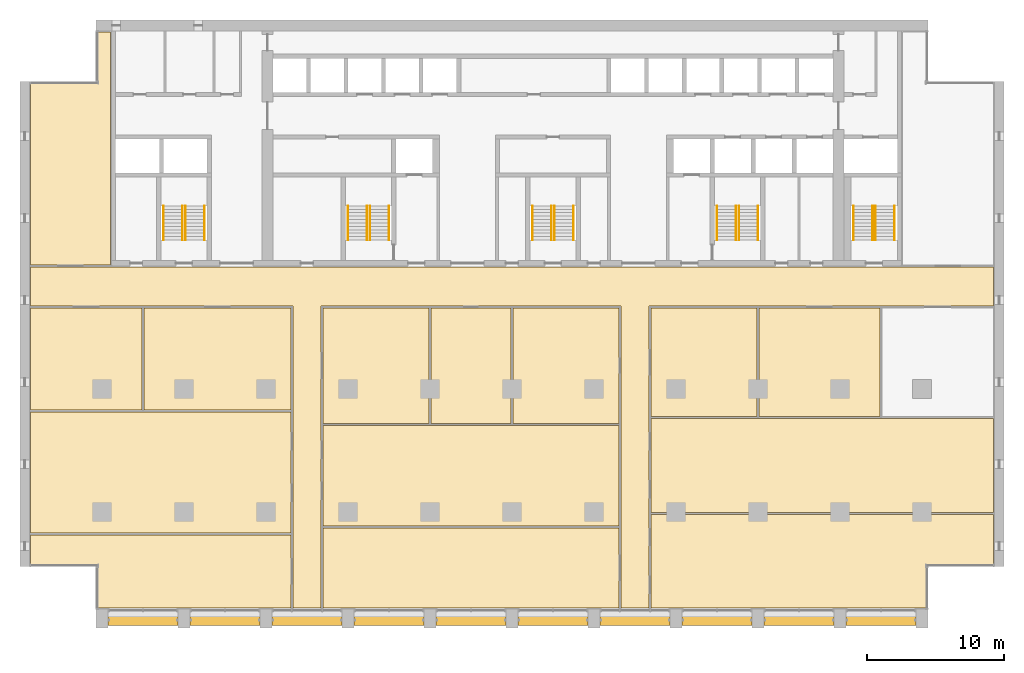
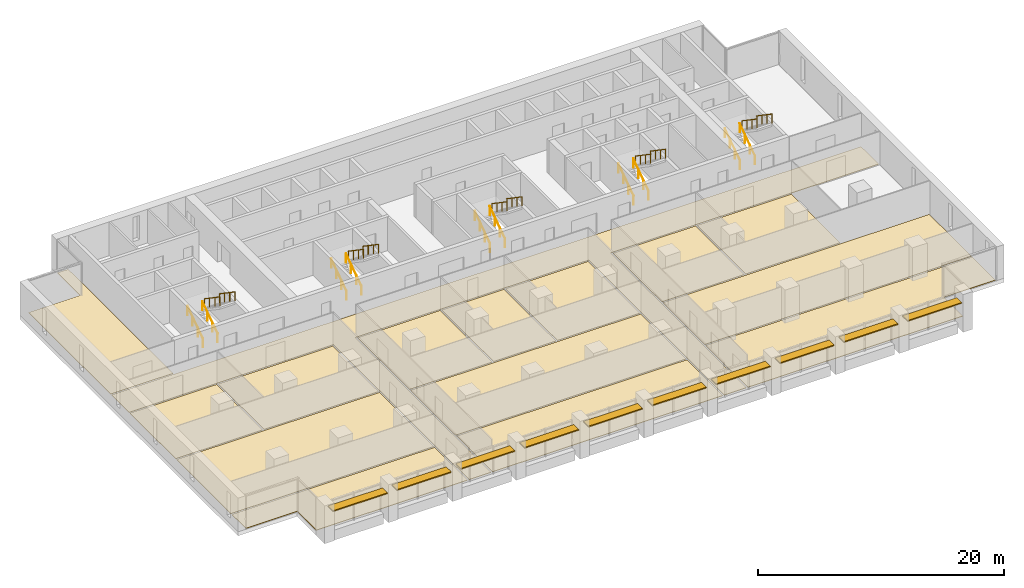
# One storey, part 16 of 17: 20 railings, 15 coverings, 10 shading devices, 5 elements without a shape of their own.
"""IFC4 building model written with IfcOpenShell, lengths in metres."""

from ifc_helpers import new_model, si_unit, direction, frame, origin, origin_2d, place, context, subcontext, project, spatial, polyline, rectangle, circle, outline, extrude, material, layer, layer_set, material_profile, profile_set, type_object, element, aggregate, save


model = new_model("IFC4")

# Units and contexts
model_context = context("Model", 3, precision=1e-05, world=origin(), true_north=direction((0.0, 1.0)))
body_context = subcontext(model_context, "Body", "Model", "MODEL_VIEW")
ifc_project = project(units=[si_unit("LENGTHUNIT", "METRE"), si_unit("AREAUNIT", "SQUARE_METRE"), si_unit("VOLUMEUNIT", "CUBIC_METRE"), si_unit("PLANEANGLEUNIT", "RADIAN"), si_unit("MASSUNIT", "GRAM", prefix="KILO")], contexts=[model_context])

# Site, building, storey
site_placement = place(None, origin())
site = spatial("IfcSite", under=ifc_project, at=site_placement, CompositionType="ELEMENT")
building_placement = place(site_placement, origin())
building = spatial("IfcBuilding", under=site, at=building_placement, Name="Calvaro Tower", CompositionType="ELEMENT")
storey_placement = place(building_placement, frame((0.0, 0.0, 102.5)))
storey = spatial("IfcBuildingStorey", under=building, at=storey_placement, Name="L25", CompositionType="ELEMENT", Elevation=102.5)

# Shading devices
ifc_material_1 = material(Name="Anodised aluminium", Category="aluminium")
ifc_material_profile = material_profile(ifc_material_1, rectangle(XDim=0.800048828125, YDim=0.10009765625, at=origin_2d()), Name="Brise-soleil blade 800 x 100")
ifc_profile_set = profile_set([ifc_material_profile], Name="Anodised aluminium")
shading_device_type = type_object("IfcShadingDeviceType", Name="Brise-soleil blade 800 x 100", PredefinedType="JALOUSIE", material=ifc_profile_set)
for number, where, z_axis, x_axis, name in (
    (1, (6.449951171875, 2.10009765625, 2.39990234375), (1.0, 0.0, 0.0), (0.0, 1.0, 0.0), "Brise-soleil blade 1"),
    (2, (12.449951171875, 2.10009765625, 2.39990234375), (1.0, 0.0, 0.0), (0.0, 1.0, 0.0), "Brise-soleil blade 2"),
    (3, (18.449951171875, 2.10009765625, 2.39990234375), (1.0, 0.0, 0.0), (0.0, 1.0, 0.0), "Brise-soleil blade 3"),
    (4, (24.449951171875, 2.10009765625, 2.39990234375), (1.0, 0.0, 0.0), (0.0, 1.0, 0.0), "Brise-soleil blade 4"),
    (5, (30.449951171875, 2.10009765625, 2.39990234375), (1.0, 0.0, 0.0), (0.0, 1.0, 0.0), "Brise-soleil blade 5"),
    (6, (36.449951171875, 2.10009765625, 2.39990234375), (1.0, 0.0, 0.0), (0.0, 1.0, 0.0), "Brise-soleil blade 6"),
    (7, (42.449951171875, 2.10009765625, 2.39990234375), (1.0, 0.0, 0.0), (0.0, 1.0, 0.0), "Brise-soleil blade 7"),
    (8, (48.449951171875, 2.10009765625, 2.39990234375), (1.0, 0.0, 0.0), (0.0, 1.0, 0.0), "Brise-soleil blade 8"),
    (9, (54.449951171875, 2.10009765625, 2.39990234375), (1.0, 0.0, 0.0), (0.0, 1.0, 0.0), "Brise-soleil blade 9"),
    (10, (60.449951171875, 2.10009765625, 2.39990234375), (1.0, 0.0, 0.0), (0.0, 1.0, 0.0), "Brise-soleil blade 10"),
):
    element("IfcShadingDevice", number, at=place(storey_placement, frame(where, z_axis=z_axis, x_axis=x_axis)), inside=storey, type_object=shading_device_type, Name=name, PredefinedType="JALOUSIE", context=body_context, shape_type="SweptSolid", body=[
        extrude(rectangle(XDim=0.800048828125, YDim=0.10009765625, at=origin_2d()), origin(), (0.0, 0.0, 1.0), 5.10009765625),
    ])

# Coverings
ifc_material_2 = material(Name="Cement screed with carpet tile finish")
ifc_layer = layer(ifc_material_2, 0.050048828125)
ifc_layer_set = layer_set([ifc_layer], Name="Cement screed with carpet tile finish")
covering_type = type_object("IfcCoveringType", Name="Floor finish 50", PredefinedType="FLOORING", material=ifc_layer_set)
covering_1_placement = place(storey_placement, origin())
element("IfcCovering", 11, at=covering_1_placement, inside=storey, type_object=covering_type, Name="Floor finish 16.01", PredefinedType="FLOORING", context=body_context, shape_type="SweptSolid", body=[
    extrude(outline(polyline([(19.969970703125, 2.969970703125), (19.969970703125, 25.070068359375), (0.77001953125, 25.070068359375), (0.77001953125, 27.929931640625), (71.22998046875, 27.929931640625), (71.22998046875, 25.070068359375), (46.030029296875, 25.070068359375), (46.030029296875, 2.969970703125), (43.969970703125, 2.969970703125), (43.969970703125, 25.070068359375), (22.030029296875, 25.070068359375), (22.030029296875, 2.969970703125), (19.969970703125, 2.969970703125)])), origin(), (0.0, 0.0, 1.0), 0.050048828125),
])
covering_2_placement = place(storey_placement, origin())
element("IfcCovering", 12, at=covering_2_placement, inside=storey, type_object=covering_type, Name="Floor finish 16.02", PredefinedType="FLOORING", context=body_context, shape_type="SweptSolid", body=[
    extrude(outline(polyline([(19.830078125, 8.330078125), (19.830078125, 2.969970703125), (5.6201171875, 2.969970703125), (5.6201171875, 6.070068359375), (0.77001953125, 6.070068359375), (0.77001953125, 8.330078125), (19.830078125, 8.330078125)])), origin(), (0.0, 0.0, 1.0), 0.050048828125),
])
covering_3_placement = place(storey_placement, origin())
element("IfcCovering", 13, at=covering_3_placement, inside=storey, type_object=covering_type, Name="Floor finish 16.06", PredefinedType="FLOORING", context=body_context, shape_type="SweptSolid", body=[
    extrude(outline(polyline([(19.830078125, 17.330078125), (19.830078125, 8.469970703125), (0.77001953125, 8.469970703125), (0.77001953125, 17.330078125), (19.830078125, 17.330078125)])), origin(), (0.0, 0.0, 1.0), 0.050048828125),
])
covering_4_placement = place(storey_placement, origin())
element("IfcCovering", 14, at=covering_4_placement, inside=storey, type_object=covering_type, Name="Floor finish 16.14", PredefinedType="FLOORING", context=body_context, shape_type="SweptSolid", body=[
    extrude(outline(polyline([(8.929931640625, 24.929931640625), (8.929931640625, 17.469970703125), (0.77001953125, 17.469970703125), (0.77001953125, 24.929931640625), (8.929931640625, 24.929931640625)])), origin(), (0.0, 0.0, 1.0), 0.050048828125),
])
covering_5_placement = place(storey_placement, origin())
element("IfcCovering", 15, at=covering_5_placement, inside=storey, type_object=covering_type, Name="Floor finish 16.15", PredefinedType="FLOORING", context=body_context, shape_type="SweptSolid", body=[
    extrude(outline(polyline([(9.070068359375, 17.469970703125), (9.070068359375, 24.929931640625), (19.830078125, 24.929931640625), (19.830078125, 17.469970703125), (9.070068359375, 17.469970703125)])), origin(), (0.0, 0.0, 1.0), 0.050048828125),
])
covering_6_placement = place(storey_placement, origin())
element("IfcCovering", 16, at=covering_6_placement, inside=storey, type_object=covering_type, Name="Floor finish 16.03", PredefinedType="FLOORING", context=body_context, shape_type="SweptSolid", body=[
    extrude(outline(polyline([(22.169921875, 8.830078125), (43.830078125, 8.830078125), (43.830078125, 2.969970703125), (22.169921875, 2.969970703125), (22.169921875, 8.830078125)])), origin(), (0.0, 0.0, 1.0), 0.050048828125),
])
covering_7_placement = place(storey_placement, origin())
element("IfcCovering", 17, at=covering_7_placement, inside=storey, type_object=covering_type, Name="Floor finish 16.05", PredefinedType="FLOORING", context=body_context, shape_type="SweptSolid", body=[
    extrude(outline(polyline([(22.169921875, 8.969970703125), (22.169921875, 16.330078125), (43.830078125, 16.330078125), (43.830078125, 8.969970703125), (22.169921875, 8.969970703125)])), origin(), (0.0, 0.0, 1.0), 0.050048828125),
])
covering_8_placement = place(storey_placement, origin())
element("IfcCovering", 18, at=covering_8_placement, inside=storey, type_object=covering_type, Name="Floor finish 16.08", PredefinedType="FLOORING", context=body_context, shape_type="SweptSolid", body=[
    extrude(outline(polyline([(22.169921875, 16.469970703125), (22.169921875, 24.929931640625), (29.929931640625, 24.929931640625), (29.929931640625, 16.469970703125), (22.169921875, 16.469970703125)])), origin(), (0.0, 0.0, 1.0), 0.050048828125),
])
covering_9_placement = place(storey_placement, origin())
element("IfcCovering", 19, at=covering_9_placement, inside=storey, type_object=covering_type, Name="Floor finish 16.09", PredefinedType="FLOORING", context=body_context, shape_type="SweptSolid", body=[
    extrude(outline(polyline([(30.070068359375, 16.469970703125), (30.070068359375, 24.929931640625), (35.929931640625, 24.929931640625), (35.929931640625, 16.469970703125), (30.070068359375, 16.469970703125)])), origin(), (0.0, 0.0, 1.0), 0.050048828125),
])
covering_10_placement = place(storey_placement, origin())
element("IfcCovering", 20, at=covering_10_placement, inside=storey, type_object=covering_type, Name="Floor finish 16.10", PredefinedType="FLOORING", context=body_context, shape_type="SweptSolid", body=[
    extrude(outline(polyline([(36.070068359375, 16.469970703125), (36.070068359375, 24.929931640625), (43.830078125, 24.929931640625), (43.830078125, 16.469970703125), (36.070068359375, 16.469970703125)])), origin(), (0.0, 0.0, 1.0), 0.050048828125),
])
covering_11_placement = place(storey_placement, origin())
element("IfcCovering", 21, at=covering_11_placement, inside=storey, type_object=covering_type, Name="Floor finish 16.04", PredefinedType="FLOORING", context=body_context, shape_type="SweptSolid", body=[
    extrude(outline(polyline([(71.22998046875, 6.070068359375), (66.3798828125, 6.070068359375), (66.3798828125, 2.969970703125), (46.169921875, 2.969970703125), (46.169921875, 9.830078125), (71.22998046875, 9.830078125), (71.22998046875, 6.070068359375)])), origin(), (0.0, 0.0, 1.0), 0.050048828125),
])
covering_12_placement = place(storey_placement, origin())
element("IfcCovering", 22, at=covering_12_placement, inside=storey, type_object=covering_type, Name="Floor finish 16.07", PredefinedType="FLOORING", context=body_context, shape_type="SweptSolid", body=[
    extrude(outline(polyline([(71.22998046875, 9.969970703125), (46.169921875, 9.969970703125), (46.169921875, 16.830078125), (71.22998046875, 16.830078125), (71.22998046875, 9.969970703125)])), origin(), (0.0, 0.0, 1.0), 0.050048828125),
])
covering_13_placement = place(storey_placement, origin())
element("IfcCovering", 23, at=covering_13_placement, inside=storey, type_object=covering_type, Name="Floor finish 16.11", PredefinedType="FLOORING", context=body_context, shape_type="SweptSolid", body=[
    extrude(outline(polyline([(46.169921875, 16.969970703125), (46.169921875, 24.929931640625), (53.929931640625, 24.929931640625), (53.929931640625, 16.969970703125), (46.169921875, 16.969970703125)])), origin(), (0.0, 0.0, 1.0), 0.050048828125),
])
covering_14_placement = place(storey_placement, origin())
element("IfcCovering", 24, at=covering_14_placement, inside=storey, type_object=covering_type, Name="Floor finish 16.12", PredefinedType="FLOORING", context=body_context, shape_type="SweptSolid", body=[
    extrude(outline(polyline([(54.070068359375, 16.969970703125), (54.070068359375, 24.929931640625), (62.929931640625, 24.929931640625), (62.929931640625, 16.969970703125), (54.070068359375, 16.969970703125)])), origin(), (0.0, 0.0, 1.0), 0.050048828125),
])
covering_15_placement = place(storey_placement, origin())
element("IfcCovering", 25, at=covering_15_placement, inside=storey, type_object=covering_type, Name="Floor finish 16.16", PredefinedType="FLOORING", context=body_context, shape_type="SweptSolid", body=[
    extrude(outline(polyline([(6.6298828125, 28.070068359375), (0.77001953125, 28.070068359375), (0.77001953125, 41.429931640625), (5.6201171875, 41.429931640625), (5.6201171875, 45.1298828125), (6.6298828125, 45.1298828125), (6.6298828125, 28.070068359375)])), origin(), (0.0, 0.0, 1.0), 0.050048828125),
])

# Stair, railings
ifc_material_3 = material(Name="Concrete C40/50", Category="concrete")
stair_type = type_object("IfcStairType", Name="Exit stair 1400 2 flights", PredefinedType="HALF_TURN_STAIR", material=ifc_material_3)
stair_1_placement = place(storey_placement, origin())
stair_1 = element("IfcStair", 26, at=stair_1_placement, inside=storey, type_object=stair_type, Name="Exit stair S1", PredefinedType="HALF_TURN_STAIR")
ifc_material_4 = material(Name="Stainless steel", Category="steel")
railing_type = type_object("IfcRailingType", Name="Stair handrail", PredefinedType="HANDRAIL", material=ifc_material_4)
railing_1_placement = place(storey_placement, frame((11.89990234375, 29.89990234375, 0.17041015625)))
railing_1 = element("IfcRailing", 27, at=railing_1_placement, type_object=railing_type, Name="Exit stair 1 handrail", PredefinedType="HANDRAIL", context=body_context, shape_type="SweptSolid", body=[
    extrude(circle(Radius=0.02392578125, at=origin_2d()), frame((0.0, 0.0, 0.8759765625), z_axis=(0.0, 0.826220514629, 0.563346839174), x_axis=(-1.0, 0.0, 0.0)), (0.0, 0.0, 1.0), 3.02587890625),
    extrude(circle(Radius=0.02099609375, at=origin_2d()), frame((0.0, 0.017333984375, 0.01171875)), (0.0, 0.0, 1.0), 0.851806640625),
    extrude(circle(Radius=0.02099609375, at=origin_2d()), frame((0.0, 0.833251953125, 0.568115234375)), (0.0, 0.0, 1.0), 0.851806640625),
    extrude(circle(Radius=0.02099609375, at=origin_2d()), frame((0.0, 1.666748046875, 1.136474609375)), (0.0, 0.0, 1.0), 0.851806640625),
    extrude(circle(Radius=0.02099609375, at=origin_2d()), frame((0.0, 2.482666015625, 1.69287109375)), (0.0, 0.0, 1.0), 0.851806640625),
])
railing_2_placement = place(storey_placement, frame((10.5, 29.89990234375, 0.17041015625)))
railing_2 = element("IfcRailing", 28, at=railing_2_placement, type_object=railing_type, Name="Exit stair 1 handrail", PredefinedType="HANDRAIL", context=body_context, shape_type="SweptSolid", body=[
    extrude(circle(Radius=0.02392578125, at=origin_2d()), frame((0.0, 0.0, 0.8759765625), z_axis=(0.0, 0.826220514629, 0.563346839174), x_axis=(-1.0, 0.0, 0.0)), (0.0, 0.0, 1.0), 3.02587890625),
    extrude(circle(Radius=0.02099609375, at=origin_2d()), frame((0.0, 0.017333984375, 0.01171875)), (0.0, 0.0, 1.0), 0.851806640625),
    extrude(circle(Radius=0.02099609375, at=origin_2d()), frame((0.0, 0.833251953125, 0.568115234375)), (0.0, 0.0, 1.0), 0.851806640625),
    extrude(circle(Radius=0.02099609375, at=origin_2d()), frame((0.0, 1.666748046875, 1.136474609375)), (0.0, 0.0, 1.0), 0.851806640625),
    extrude(circle(Radius=0.02099609375, at=origin_2d()), frame((0.0, 2.482666015625, 1.69287109375)), (0.0, 0.0, 1.0), 0.851806640625),
])
railing_3_placement = place(storey_placement, frame((12.10009765625, 32.39990234375, 2.04541015625)))
railing_3 = element("IfcRailing", 29, at=railing_3_placement, type_object=railing_type, Name="Exit stair 1 handrail", PredefinedType="HANDRAIL", context=body_context, shape_type="SweptSolid", body=[
    extrude(circle(Radius=0.02392578125, at=origin_2d()), frame((0.0, 0.0, 0.8759765625), z_axis=(0.0, -0.826220514629, 0.563346839174), x_axis=(1.0, 0.0, 0.0)), (0.0, 0.0, 1.0), 3.02587890625),
    extrude(circle(Radius=0.02099609375, at=origin_2d()), frame((0.0, -0.017333984375, 0.01171875)), (0.0, 0.0, 1.0), 0.851806640625),
    extrude(circle(Radius=0.02099609375, at=origin_2d()), frame((0.0, -0.833251953125, 0.568115234375)), (0.0, 0.0, 1.0), 0.851806640625),
    extrude(circle(Radius=0.02099609375, at=origin_2d()), frame((0.0, -1.666748046875, 1.136474609375)), (0.0, 0.0, 1.0), 0.851806640625),
    extrude(circle(Radius=0.02099609375, at=origin_2d()), frame((0.0, -2.482666015625, 1.69287109375)), (0.0, 0.0, 1.0), 0.851806640625),
])
railing_4_placement = place(storey_placement, frame((13.5, 32.39990234375, 2.04541015625)))
railing_4 = element("IfcRailing", 30, at=railing_4_placement, type_object=railing_type, Name="Exit stair 1 handrail", PredefinedType="HANDRAIL", context=body_context, shape_type="SweptSolid", body=[
    extrude(circle(Radius=0.02392578125, at=origin_2d()), frame((0.0, 0.0, 0.8759765625), z_axis=(0.0, -0.826220514629, 0.563346839174), x_axis=(1.0, 0.0, 0.0)), (0.0, 0.0, 1.0), 3.02587890625),
    extrude(circle(Radius=0.02099609375, at=origin_2d()), frame((0.0, -0.017333984375, 0.01171875)), (0.0, 0.0, 1.0), 0.851806640625),
    extrude(circle(Radius=0.02099609375, at=origin_2d()), frame((0.0, -0.833251953125, 0.568115234375)), (0.0, 0.0, 1.0), 0.851806640625),
    extrude(circle(Radius=0.02099609375, at=origin_2d()), frame((0.0, -1.666748046875, 1.136474609375)), (0.0, 0.0, 1.0), 0.851806640625),
    extrude(circle(Radius=0.02099609375, at=origin_2d()), frame((0.0, -2.482666015625, 1.69287109375)), (0.0, 0.0, 1.0), 0.851806640625),
])
aggregate(stair_1, [railing_1, railing_2, railing_3, railing_4])

stair_2_placement = place(storey_placement, origin())
stair_2 = element("IfcStair", 31, at=stair_2_placement, inside=storey, type_object=stair_type, Name="Exit stair S2", PredefinedType="HALF_TURN_STAIR")
railing_5_placement = place(storey_placement, frame((25.39990234375, 29.89990234375, 0.17041015625)))
railing_5 = element("IfcRailing", 32, at=railing_5_placement, type_object=railing_type, Name="Exit stair 2 handrail", PredefinedType="HANDRAIL", context=body_context, shape_type="SweptSolid", body=[
    extrude(circle(Radius=0.02392578125, at=origin_2d()), frame((0.0, 0.0, 0.8759765625), z_axis=(0.0, 0.826220514629, 0.563346839174), x_axis=(-1.0, 0.0, 0.0)), (0.0, 0.0, 1.0), 3.02587890625),
    extrude(circle(Radius=0.02099609375, at=origin_2d()), frame((0.0, 0.017333984375, 0.01171875)), (0.0, 0.0, 1.0), 0.851806640625),
    extrude(circle(Radius=0.02099609375, at=origin_2d()), frame((0.0, 0.833251953125, 0.568115234375)), (0.0, 0.0, 1.0), 0.851806640625),
    extrude(circle(Radius=0.02099609375, at=origin_2d()), frame((0.0, 1.666748046875, 1.136474609375)), (0.0, 0.0, 1.0), 0.851806640625),
    extrude(circle(Radius=0.02099609375, at=origin_2d()), frame((0.0, 2.482666015625, 1.69287109375)), (0.0, 0.0, 1.0), 0.851806640625),
])
railing_6_placement = place(storey_placement, frame((24.0, 29.89990234375, 0.17041015625)))
railing_6 = element("IfcRailing", 33, at=railing_6_placement, type_object=railing_type, Name="Exit stair 2 handrail", PredefinedType="HANDRAIL", context=body_context, shape_type="SweptSolid", body=[
    extrude(circle(Radius=0.02392578125, at=origin_2d()), frame((0.0, 0.0, 0.8759765625), z_axis=(0.0, 0.826220514629, 0.563346839174), x_axis=(-1.0, 0.0, 0.0)), (0.0, 0.0, 1.0), 3.02587890625),
    extrude(circle(Radius=0.02099609375, at=origin_2d()), frame((0.0, 0.017333984375, 0.01171875)), (0.0, 0.0, 1.0), 0.851806640625),
    extrude(circle(Radius=0.02099609375, at=origin_2d()), frame((0.0, 0.833251953125, 0.568115234375)), (0.0, 0.0, 1.0), 0.851806640625),
    extrude(circle(Radius=0.02099609375, at=origin_2d()), frame((0.0, 1.666748046875, 1.136474609375)), (0.0, 0.0, 1.0), 0.851806640625),
    extrude(circle(Radius=0.02099609375, at=origin_2d()), frame((0.0, 2.482666015625, 1.69287109375)), (0.0, 0.0, 1.0), 0.851806640625),
])
railing_7_placement = place(storey_placement, frame((25.60009765625, 32.39990234375, 2.04541015625)))
railing_7 = element("IfcRailing", 34, at=railing_7_placement, type_object=railing_type, Name="Exit stair 2 handrail", PredefinedType="HANDRAIL", context=body_context, shape_type="SweptSolid", body=[
    extrude(circle(Radius=0.02392578125, at=origin_2d()), frame((0.0, 0.0, 0.8759765625), z_axis=(0.0, -0.826220514629, 0.563346839174), x_axis=(1.0, 0.0, 0.0)), (0.0, 0.0, 1.0), 3.02587890625),
    extrude(circle(Radius=0.02099609375, at=origin_2d()), frame((0.0, -0.017333984375, 0.01171875)), (0.0, 0.0, 1.0), 0.851806640625),
    extrude(circle(Radius=0.02099609375, at=origin_2d()), frame((0.0, -0.833251953125, 0.568115234375)), (0.0, 0.0, 1.0), 0.851806640625),
    extrude(circle(Radius=0.02099609375, at=origin_2d()), frame((0.0, -1.666748046875, 1.136474609375)), (0.0, 0.0, 1.0), 0.851806640625),
    extrude(circle(Radius=0.02099609375, at=origin_2d()), frame((0.0, -2.482666015625, 1.69287109375)), (0.0, 0.0, 1.0), 0.851806640625),
])
railing_8_placement = place(storey_placement, frame((27.0, 32.39990234375, 2.04541015625)))
railing_8 = element("IfcRailing", 35, at=railing_8_placement, type_object=railing_type, Name="Exit stair 2 handrail", PredefinedType="HANDRAIL", context=body_context, shape_type="SweptSolid", body=[
    extrude(circle(Radius=0.02392578125, at=origin_2d()), frame((0.0, 0.0, 0.8759765625), z_axis=(0.0, -0.826220514629, 0.563346839174), x_axis=(1.0, 0.0, 0.0)), (0.0, 0.0, 1.0), 3.02587890625),
    extrude(circle(Radius=0.02099609375, at=origin_2d()), frame((0.0, -0.017333984375, 0.01171875)), (0.0, 0.0, 1.0), 0.851806640625),
    extrude(circle(Radius=0.02099609375, at=origin_2d()), frame((0.0, -0.833251953125, 0.568115234375)), (0.0, 0.0, 1.0), 0.851806640625),
    extrude(circle(Radius=0.02099609375, at=origin_2d()), frame((0.0, -1.666748046875, 1.136474609375)), (0.0, 0.0, 1.0), 0.851806640625),
    extrude(circle(Radius=0.02099609375, at=origin_2d()), frame((0.0, -2.482666015625, 1.69287109375)), (0.0, 0.0, 1.0), 0.851806640625),
])
aggregate(stair_2, [railing_5, railing_6, railing_7, railing_8])

stair_3_placement = place(storey_placement, origin())
stair_3 = element("IfcStair", 36, at=stair_3_placement, inside=storey, type_object=stair_type, Name="Exit stair S3", PredefinedType="HALF_TURN_STAIR")
railing_9_placement = place(storey_placement, frame((38.89990234375, 29.89990234375, 0.17041015625)))
railing_9 = element("IfcRailing", 37, at=railing_9_placement, type_object=railing_type, Name="Exit stair 3 handrail", PredefinedType="HANDRAIL", context=body_context, shape_type="SweptSolid", body=[
    extrude(circle(Radius=0.02392578125, at=origin_2d()), frame((0.0, 0.0, 0.8759765625), z_axis=(0.0, 0.826220514629, 0.563346839174), x_axis=(-1.0, 0.0, 0.0)), (0.0, 0.0, 1.0), 3.02587890625),
    extrude(circle(Radius=0.02099609375, at=origin_2d()), frame((0.0, 0.017333984375, 0.01171875)), (0.0, 0.0, 1.0), 0.851806640625),
    extrude(circle(Radius=0.02099609375, at=origin_2d()), frame((0.0, 0.833251953125, 0.568115234375)), (0.0, 0.0, 1.0), 0.851806640625),
    extrude(circle(Radius=0.02099609375, at=origin_2d()), frame((0.0, 1.666748046875, 1.136474609375)), (0.0, 0.0, 1.0), 0.851806640625),
    extrude(circle(Radius=0.02099609375, at=origin_2d()), frame((0.0, 2.482666015625, 1.69287109375)), (0.0, 0.0, 1.0), 0.851806640625),
])
railing_10_placement = place(storey_placement, frame((37.5, 29.89990234375, 0.17041015625)))
railing_10 = element("IfcRailing", 38, at=railing_10_placement, type_object=railing_type, Name="Exit stair 3 handrail", PredefinedType="HANDRAIL", context=body_context, shape_type="SweptSolid", body=[
    extrude(circle(Radius=0.02392578125, at=origin_2d()), frame((0.0, 0.0, 0.8759765625), z_axis=(0.0, 0.826220514629, 0.563346839174), x_axis=(-1.0, 0.0, 0.0)), (0.0, 0.0, 1.0), 3.02587890625),
    extrude(circle(Radius=0.02099609375, at=origin_2d()), frame((0.0, 0.017333984375, 0.01171875)), (0.0, 0.0, 1.0), 0.851806640625),
    extrude(circle(Radius=0.02099609375, at=origin_2d()), frame((0.0, 0.833251953125, 0.568115234375)), (0.0, 0.0, 1.0), 0.851806640625),
    extrude(circle(Radius=0.02099609375, at=origin_2d()), frame((0.0, 1.666748046875, 1.136474609375)), (0.0, 0.0, 1.0), 0.851806640625),
    extrude(circle(Radius=0.02099609375, at=origin_2d()), frame((0.0, 2.482666015625, 1.69287109375)), (0.0, 0.0, 1.0), 0.851806640625),
])
railing_11_placement = place(storey_placement, frame((39.10009765625, 32.39990234375, 2.04541015625)))
railing_11 = element("IfcRailing", 39, at=railing_11_placement, type_object=railing_type, Name="Exit stair 3 handrail", PredefinedType="HANDRAIL", context=body_context, shape_type="SweptSolid", body=[
    extrude(circle(Radius=0.02392578125, at=origin_2d()), frame((0.0, 0.0, 0.8759765625), z_axis=(0.0, -0.826220514629, 0.563346839174), x_axis=(1.0, 0.0, 0.0)), (0.0, 0.0, 1.0), 3.02587890625),
    extrude(circle(Radius=0.02099609375, at=origin_2d()), frame((0.0, -0.017333984375, 0.01171875)), (0.0, 0.0, 1.0), 0.851806640625),
    extrude(circle(Radius=0.02099609375, at=origin_2d()), frame((0.0, -0.833251953125, 0.568115234375)), (0.0, 0.0, 1.0), 0.851806640625),
    extrude(circle(Radius=0.02099609375, at=origin_2d()), frame((0.0, -1.666748046875, 1.136474609375)), (0.0, 0.0, 1.0), 0.851806640625),
    extrude(circle(Radius=0.02099609375, at=origin_2d()), frame((0.0, -2.482666015625, 1.69287109375)), (0.0, 0.0, 1.0), 0.851806640625),
])
railing_12_placement = place(storey_placement, frame((40.5, 32.39990234375, 2.04541015625)))
railing_12 = element("IfcRailing", 40, at=railing_12_placement, type_object=railing_type, Name="Exit stair 3 handrail", PredefinedType="HANDRAIL", context=body_context, shape_type="SweptSolid", body=[
    extrude(circle(Radius=0.02392578125, at=origin_2d()), frame((0.0, 0.0, 0.8759765625), z_axis=(0.0, -0.826220514629, 0.563346839174), x_axis=(1.0, 0.0, 0.0)), (0.0, 0.0, 1.0), 3.02587890625),
    extrude(circle(Radius=0.02099609375, at=origin_2d()), frame((0.0, -0.017333984375, 0.01171875)), (0.0, 0.0, 1.0), 0.851806640625),
    extrude(circle(Radius=0.02099609375, at=origin_2d()), frame((0.0, -0.833251953125, 0.568115234375)), (0.0, 0.0, 1.0), 0.851806640625),
    extrude(circle(Radius=0.02099609375, at=origin_2d()), frame((0.0, -1.666748046875, 1.136474609375)), (0.0, 0.0, 1.0), 0.851806640625),
    extrude(circle(Radius=0.02099609375, at=origin_2d()), frame((0.0, -2.482666015625, 1.69287109375)), (0.0, 0.0, 1.0), 0.851806640625),
])
aggregate(stair_3, [railing_9, railing_10, railing_11, railing_12])

stair_4_placement = place(storey_placement, origin())
stair_4 = element("IfcStair", 41, at=stair_4_placement, inside=storey, type_object=stair_type, Name="Exit stair S4", PredefinedType="HALF_TURN_STAIR")
railing_13_placement = place(storey_placement, frame((52.39990234375, 29.89990234375, 0.17041015625)))
railing_13 = element("IfcRailing", 42, at=railing_13_placement, type_object=railing_type, Name="Exit stair 4 handrail", PredefinedType="HANDRAIL", context=body_context, shape_type="SweptSolid", body=[
    extrude(circle(Radius=0.02392578125, at=origin_2d()), frame((0.0, 0.0, 0.8759765625), z_axis=(0.0, 0.826220514629, 0.563346839174), x_axis=(-1.0, 0.0, 0.0)), (0.0, 0.0, 1.0), 3.02587890625),
    extrude(circle(Radius=0.02099609375, at=origin_2d()), frame((0.0, 0.017333984375, 0.01171875)), (0.0, 0.0, 1.0), 0.851806640625),
    extrude(circle(Radius=0.02099609375, at=origin_2d()), frame((0.0, 0.833251953125, 0.568115234375)), (0.0, 0.0, 1.0), 0.851806640625),
    extrude(circle(Radius=0.02099609375, at=origin_2d()), frame((0.0, 1.666748046875, 1.136474609375)), (0.0, 0.0, 1.0), 0.851806640625),
    extrude(circle(Radius=0.02099609375, at=origin_2d()), frame((0.0, 2.482666015625, 1.69287109375)), (0.0, 0.0, 1.0), 0.851806640625),
])
railing_14_placement = place(storey_placement, frame((51.0, 29.89990234375, 0.17041015625)))
railing_14 = element("IfcRailing", 43, at=railing_14_placement, type_object=railing_type, Name="Exit stair 4 handrail", PredefinedType="HANDRAIL", context=body_context, shape_type="SweptSolid", body=[
    extrude(circle(Radius=0.02392578125, at=origin_2d()), frame((0.0, 0.0, 0.8759765625), z_axis=(0.0, 0.826220514629, 0.563346839174), x_axis=(-1.0, 0.0, 0.0)), (0.0, 0.0, 1.0), 3.02587890625),
    extrude(circle(Radius=0.02099609375, at=origin_2d()), frame((0.0, 0.017333984375, 0.01171875)), (0.0, 0.0, 1.0), 0.851806640625),
    extrude(circle(Radius=0.02099609375, at=origin_2d()), frame((0.0, 0.833251953125, 0.568115234375)), (0.0, 0.0, 1.0), 0.851806640625),
    extrude(circle(Radius=0.02099609375, at=origin_2d()), frame((0.0, 1.666748046875, 1.136474609375)), (0.0, 0.0, 1.0), 0.851806640625),
    extrude(circle(Radius=0.02099609375, at=origin_2d()), frame((0.0, 2.482666015625, 1.69287109375)), (0.0, 0.0, 1.0), 0.851806640625),
])
railing_15_placement = place(storey_placement, frame((52.60009765625, 32.39990234375, 2.04541015625)))
railing_15 = element("IfcRailing", 44, at=railing_15_placement, type_object=railing_type, Name="Exit stair 4 handrail", PredefinedType="HANDRAIL", context=body_context, shape_type="SweptSolid", body=[
    extrude(circle(Radius=0.02392578125, at=origin_2d()), frame((0.0, 0.0, 0.8759765625), z_axis=(0.0, -0.826220514629, 0.563346839174), x_axis=(1.0, 0.0, 0.0)), (0.0, 0.0, 1.0), 3.02587890625),
    extrude(circle(Radius=0.02099609375, at=origin_2d()), frame((0.0, -0.017333984375, 0.01171875)), (0.0, 0.0, 1.0), 0.851806640625),
    extrude(circle(Radius=0.02099609375, at=origin_2d()), frame((0.0, -0.833251953125, 0.568115234375)), (0.0, 0.0, 1.0), 0.851806640625),
    extrude(circle(Radius=0.02099609375, at=origin_2d()), frame((0.0, -1.666748046875, 1.136474609375)), (0.0, 0.0, 1.0), 0.851806640625),
    extrude(circle(Radius=0.02099609375, at=origin_2d()), frame((0.0, -2.482666015625, 1.69287109375)), (0.0, 0.0, 1.0), 0.851806640625),
])
railing_16_placement = place(storey_placement, frame((54.0, 32.39990234375, 2.04541015625)))
railing_16 = element("IfcRailing", 45, at=railing_16_placement, type_object=railing_type, Name="Exit stair 4 handrail", PredefinedType="HANDRAIL", context=body_context, shape_type="SweptSolid", body=[
    extrude(circle(Radius=0.02392578125, at=origin_2d()), frame((0.0, 0.0, 0.8759765625), z_axis=(0.0, -0.826220514629, 0.563346839174), x_axis=(1.0, 0.0, 0.0)), (0.0, 0.0, 1.0), 3.02587890625),
    extrude(circle(Radius=0.02099609375, at=origin_2d()), frame((0.0, -0.017333984375, 0.01171875)), (0.0, 0.0, 1.0), 0.851806640625),
    extrude(circle(Radius=0.02099609375, at=origin_2d()), frame((0.0, -0.833251953125, 0.568115234375)), (0.0, 0.0, 1.0), 0.851806640625),
    extrude(circle(Radius=0.02099609375, at=origin_2d()), frame((0.0, -1.666748046875, 1.136474609375)), (0.0, 0.0, 1.0), 0.851806640625),
    extrude(circle(Radius=0.02099609375, at=origin_2d()), frame((0.0, -2.482666015625, 1.69287109375)), (0.0, 0.0, 1.0), 0.851806640625),
])
aggregate(stair_4, [railing_13, railing_14, railing_15, railing_16])

stair_5_placement = place(storey_placement, origin())
stair_5 = element("IfcStair", 46, at=stair_5_placement, inside=storey, type_object=stair_type, Name="Exit stair S5", PredefinedType="HALF_TURN_STAIR")
railing_17_placement = place(storey_placement, frame((62.39990234375, 29.89990234375, 0.17041015625)))
railing_17 = element("IfcRailing", 47, at=railing_17_placement, type_object=railing_type, Name="Exit stair 5 handrail", PredefinedType="HANDRAIL", context=body_context, shape_type="SweptSolid", body=[
    extrude(circle(Radius=0.02392578125, at=origin_2d()), frame((0.0, 0.0, 0.8759765625), z_axis=(0.0, 0.826220514629, 0.563346839174), x_axis=(-1.0, 0.0, 0.0)), (0.0, 0.0, 1.0), 3.02587890625),
    extrude(circle(Radius=0.02099609375, at=origin_2d()), frame((0.0, 0.017333984375, 0.01171875)), (0.0, 0.0, 1.0), 0.851806640625),
    extrude(circle(Radius=0.02099609375, at=origin_2d()), frame((0.0, 0.833251953125, 0.568115234375)), (0.0, 0.0, 1.0), 0.851806640625),
    extrude(circle(Radius=0.02099609375, at=origin_2d()), frame((0.0, 1.666748046875, 1.136474609375)), (0.0, 0.0, 1.0), 0.851806640625),
    extrude(circle(Radius=0.02099609375, at=origin_2d()), frame((0.0, 2.482666015625, 1.69287109375)), (0.0, 0.0, 1.0), 0.851806640625),
])
railing_18_placement = place(storey_placement, frame((61.0, 29.89990234375, 0.17041015625)))
railing_18 = element("IfcRailing", 48, at=railing_18_placement, type_object=railing_type, Name="Exit stair 5 handrail", PredefinedType="HANDRAIL", context=body_context, shape_type="SweptSolid", body=[
    extrude(circle(Radius=0.02392578125, at=origin_2d()), frame((0.0, 0.0, 0.8759765625), z_axis=(0.0, 0.826220514629, 0.563346839174), x_axis=(-1.0, 0.0, 0.0)), (0.0, 0.0, 1.0), 3.02587890625),
    extrude(circle(Radius=0.02099609375, at=origin_2d()), frame((0.0, 0.017333984375, 0.01171875)), (0.0, 0.0, 1.0), 0.851806640625),
    extrude(circle(Radius=0.02099609375, at=origin_2d()), frame((0.0, 0.833251953125, 0.568115234375)), (0.0, 0.0, 1.0), 0.851806640625),
    extrude(circle(Radius=0.02099609375, at=origin_2d()), frame((0.0, 1.666748046875, 1.136474609375)), (0.0, 0.0, 1.0), 0.851806640625),
    extrude(circle(Radius=0.02099609375, at=origin_2d()), frame((0.0, 2.482666015625, 1.69287109375)), (0.0, 0.0, 1.0), 0.851806640625),
])
railing_19_placement = place(storey_placement, frame((62.60009765625, 32.39990234375, 2.04541015625)))
railing_19 = element("IfcRailing", 49, at=railing_19_placement, type_object=railing_type, Name="Exit stair 5 handrail", PredefinedType="HANDRAIL", context=body_context, shape_type="SweptSolid", body=[
    extrude(circle(Radius=0.02392578125, at=origin_2d()), frame((0.0, 0.0, 0.8759765625), z_axis=(0.0, -0.826220514629, 0.563346839174), x_axis=(1.0, 0.0, 0.0)), (0.0, 0.0, 1.0), 3.02587890625),
    extrude(circle(Radius=0.02099609375, at=origin_2d()), frame((0.0, -0.017333984375, 0.01171875)), (0.0, 0.0, 1.0), 0.851806640625),
    extrude(circle(Radius=0.02099609375, at=origin_2d()), frame((0.0, -0.833251953125, 0.568115234375)), (0.0, 0.0, 1.0), 0.851806640625),
    extrude(circle(Radius=0.02099609375, at=origin_2d()), frame((0.0, -1.666748046875, 1.136474609375)), (0.0, 0.0, 1.0), 0.851806640625),
    extrude(circle(Radius=0.02099609375, at=origin_2d()), frame((0.0, -2.482666015625, 1.69287109375)), (0.0, 0.0, 1.0), 0.851806640625),
])
railing_20_placement = place(storey_placement, frame((64.0, 32.39990234375, 2.04541015625)))
railing_20 = element("IfcRailing", 50, at=railing_20_placement, type_object=railing_type, Name="Exit stair 5 handrail", PredefinedType="HANDRAIL", context=body_context, shape_type="SweptSolid", body=[
    extrude(circle(Radius=0.02392578125, at=origin_2d()), frame((0.0, 0.0, 0.8759765625), z_axis=(0.0, -0.826220514629, 0.563346839174), x_axis=(1.0, 0.0, 0.0)), (0.0, 0.0, 1.0), 3.02587890625),
    extrude(circle(Radius=0.02099609375, at=origin_2d()), frame((0.0, -0.017333984375, 0.01171875)), (0.0, 0.0, 1.0), 0.851806640625),
    extrude(circle(Radius=0.02099609375, at=origin_2d()), frame((0.0, -0.833251953125, 0.568115234375)), (0.0, 0.0, 1.0), 0.851806640625),
    extrude(circle(Radius=0.02099609375, at=origin_2d()), frame((0.0, -1.666748046875, 1.136474609375)), (0.0, 0.0, 1.0), 0.851806640625),
    extrude(circle(Radius=0.02099609375, at=origin_2d()), frame((0.0, -2.482666015625, 1.69287109375)), (0.0, 0.0, 1.0), 0.851806640625),
])
aggregate(stair_5, [railing_17, railing_18, railing_19, railing_20])

save(model, "model.ifc")
